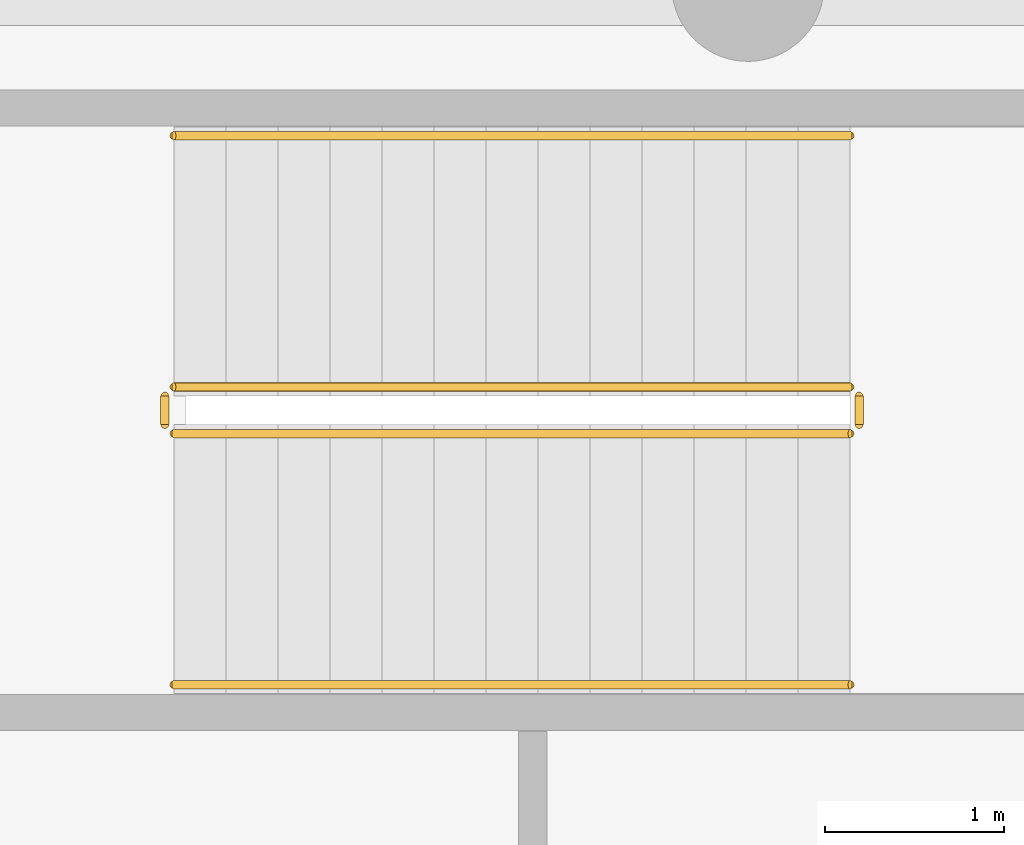
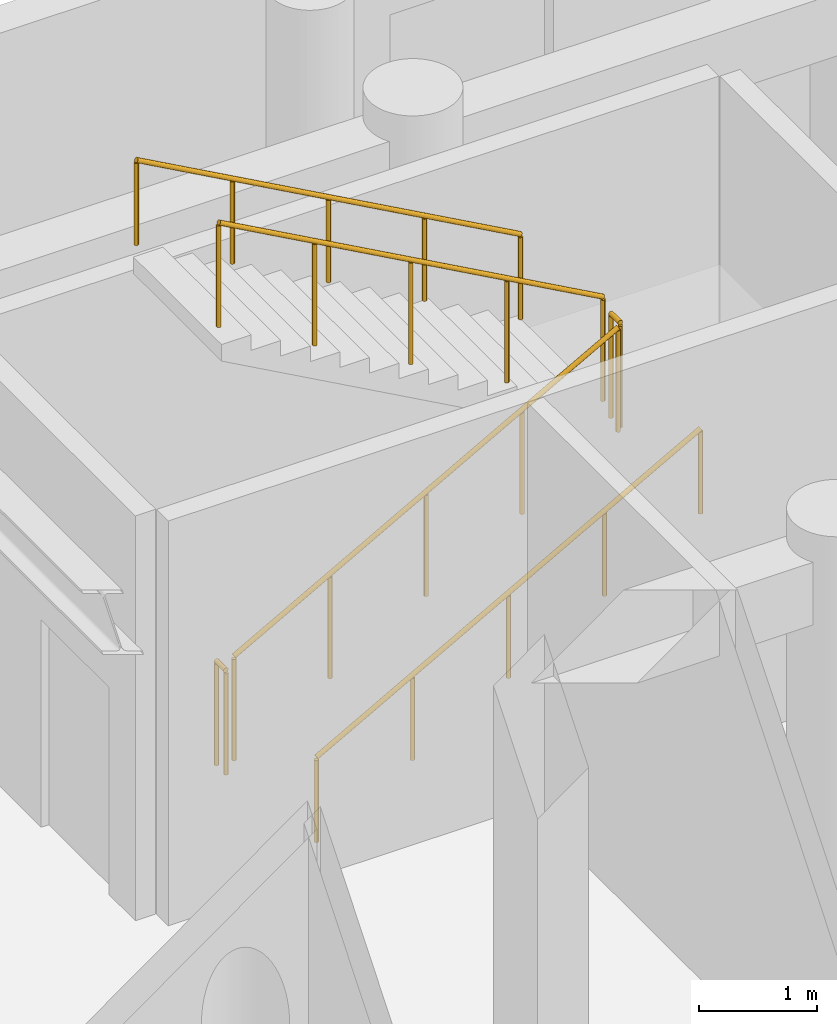
# One storey, part 29 of 30: 6 railings.
"""IFC4 building model written with IfcOpenShell, lengths in metres."""

from ifc_helpers import new_model, si_unit, direction, frame, origin, origin_2d, place, context, subcontext, project, spatial, circle, extrude, material, layer, layer_set, type_object, element, save


model = new_model("IFC4")

# Units and contexts
model_context = context("Model", 3, precision=1e-05, world=origin(), true_north=direction((0.0, 1.0)))
body_context = subcontext(model_context, "Body", "Model", "MODEL_VIEW")
ifc_project = project(units=[si_unit("LENGTHUNIT", "METRE"), si_unit("AREAUNIT", "SQUARE_METRE"), si_unit("VOLUMEUNIT", "CUBIC_METRE"), si_unit("PLANEANGLEUNIT", "RADIAN"), si_unit("MASSUNIT", "GRAM", prefix="KILO")], contexts=[model_context])

# Site, building, storey
site_placement = place(None, origin())
site = spatial("IfcSite", under=ifc_project, at=site_placement, CompositionType="ELEMENT")
building_placement = place(site_placement, origin())
building = spatial("IfcBuilding", under=site, at=building_placement, Name="Karkom Vertical University and Central Library", CompositionType="ELEMENT")
storey_placement = place(building_placement, origin())
storey = spatial("IfcBuildingStorey", under=building, at=storey_placement, Name="L00", CompositionType="ELEMENT", Elevation=0.0)

# Railings
ifc_material_1 = material(Name="Painted galvanised steel balustrade", Category="steel")
ifc_layer_1 = layer(ifc_material_1, 0.06005859375)
ifc_layer_set_1 = layer_set([ifc_layer_1], Name="Painted galvanised steel balustrade")
railing_type_1 = type_object("IfcRailingType", Name="INT-RL-GUARD1100", PredefinedType="GUARDRAIL", material=ifc_layer_set_1)
railing_1_placement = place(storey_placement, frame((72.199951171875, 45.699951171875, 0.16064453125)))
element("IfcRailing", 1, at=railing_1_placement, inside=storey, type_object=railing_type_1, Name="Level 00 LIB-ST2 stair guard 1", PredefinedType="GUARDRAIL", context=body_context, shape_type="SweptSolid", body=[
    extrude(circle(Radius=0.02392578125, at=origin_2d()), frame((0.0, 0.0, 1.076171875), z_axis=(0.874659101714, 0.0, 0.484738543742), x_axis=(0.0, 1.0, 0.0)), (0.0, 0.0, 1.0), 4.310302734375),
    extrude(circle(Radius=0.02099609375, at=origin_2d()), origin(), (0.0, 0.0, 1.0), 1.052001953125),
    extrude(circle(Radius=0.02099609375, at=origin_2d()), frame((0.9423828125, 0.0, 0.5224609375)), (0.0, 0.0, 1.0), 1.052001953125),
    extrude(circle(Radius=0.02099609375, at=origin_2d()), frame((1.885009765625, 0.0, 1.044677734375)), (0.0, 0.0, 1.0), 1.052001953125),
    extrude(circle(Radius=0.02099609375, at=origin_2d()), frame((2.82763671875, 0.0, 1.56689453125)), (0.0, 0.0, 1.0), 1.052001953125),
    extrude(circle(Radius=0.02099609375, at=origin_2d()), frame((3.77001953125, 0.0, 2.08935546875)), (0.0, 0.0, 1.0), 1.052001953125),
])
railing_2_placement = place(storey_placement, frame((76.02001953125, 45.75, 2.25)))
element("IfcRailing", 2, at=railing_2_placement, inside=storey, type_object=railing_type_1, Name="Level 00 LIB-ST2 stair guard 2", PredefinedType="GUARDRAIL", context=body_context, shape_type="SweptSolid", body=[
    extrude(circle(Radius=0.02392578125, at=origin_2d()), frame((0.0, 0.0, 1.076171875), z_axis=(0.0, 1.0, 0.0), x_axis=(-1.0, 0.0, 0.0)), (0.0, 0.0, 1.0), 0.159912109375),
    extrude(circle(Radius=0.02099609375, at=origin_2d()), origin(), (0.0, 0.0, 1.0), 1.052001953125),
    extrude(circle(Radius=0.02099609375, at=origin_2d()), frame((0.0, 0.159912109375, 0.0)), (0.0, 0.0, 1.0), 1.052001953125),
])
railing_3_placement = place(storey_placement, frame((75.969970703125, 45.9599609375, 2.41064453125)))
element("IfcRailing", 3, at=railing_3_placement, inside=storey, type_object=railing_type_1, Name="Level 00 LIB-ST2 stair guard 3", PredefinedType="GUARDRAIL", context=body_context, shape_type="SweptSolid", body=[
    extrude(circle(Radius=0.02392578125, at=origin_2d()), frame((0.0, 0.0, 1.076171875), z_axis=(-0.874659101714, 0.0, 0.484738543742), x_axis=(0.0, -1.0, 0.0)), (0.0, 0.0, 1.0), 4.310302734375),
    extrude(circle(Radius=0.02099609375, at=origin_2d()), origin(), (0.0, 0.0, 1.0), 1.052001953125),
    extrude(circle(Radius=0.02099609375, at=origin_2d()), frame((-0.9423828125, 0.0, 0.5224609375)), (0.0, 0.0, 1.0), 1.052001953125),
    extrude(circle(Radius=0.02099609375, at=origin_2d()), frame((-1.885009765625, 0.0, 1.044677734375)), (0.0, 0.0, 1.0), 1.052001953125),
    extrude(circle(Radius=0.02099609375, at=origin_2d()), frame((-2.82763671875, 0.0, 1.56689453125)), (0.0, 0.0, 1.0), 1.052001953125),
    extrude(circle(Radius=0.02099609375, at=origin_2d()), frame((-3.77001953125, 0.0, 2.08935546875)), (0.0, 0.0, 1.0), 1.052001953125),
])
railing_4_placement = place(storey_placement, frame((72.14990234375, 45.75, 0.0)))
element("IfcRailing", 4, at=railing_4_placement, inside=storey, type_object=railing_type_1, Name="Level 00 LIB-ST2 stair guard 4", PredefinedType="GUARDRAIL", context=body_context, shape_type="SweptSolid", body=[
    extrude(circle(Radius=0.02392578125, at=origin_2d()), frame((0.0, 0.0, 1.076171875), z_axis=(0.0, 1.0, 0.0), x_axis=(-1.0, 0.0, 0.0)), (0.0, 0.0, 1.0), 0.159912109375),
    extrude(circle(Radius=0.02099609375, at=origin_2d()), origin(), (0.0, 0.0, 1.0), 1.052001953125),
    extrude(circle(Radius=0.02099609375, at=origin_2d()), frame((0.0, 0.159912109375, 0.0)), (0.0, 0.0, 1.0), 1.052001953125),
])
ifc_material_2 = material(Name="Brushed stainless-steel tubular handrail", Category="steel")
ifc_layer_2 = layer(ifc_material_2, 0.048095703125)
ifc_layer_set_2 = layer_set([ifc_layer_2], Name="Brushed stainless-steel tubular handrail")
railing_type_2 = type_object("IfcRailingType", Name="INT-RL-HAND920", PredefinedType="HANDRAIL", material=ifc_layer_set_2)
railing_5_placement = place(storey_placement, frame((72.199951171875, 44.300048828125, 0.16064453125)))
element("IfcRailing", 5, at=railing_5_placement, inside=storey, type_object=railing_type_2, Name="Level 00 LIB-ST2 stair handrail 1", PredefinedType="HANDRAIL", context=body_context, shape_type="SweptSolid", body=[
    extrude(circle(Radius=0.02392578125, at=origin_2d()), frame((0.0, 0.0, 0.8759765625), z_axis=(0.874659101714, 0.0, 0.484738543742), x_axis=(0.0, 1.0, 0.0)), (0.0, 0.0, 1.0), 4.310302734375),
    extrude(circle(Radius=0.02099609375, at=origin_2d()), origin(), (0.0, 0.0, 1.0), 0.851806640625),
    extrude(circle(Radius=0.02099609375, at=origin_2d()), frame((0.9423828125, 0.0, 0.5224609375)), (0.0, 0.0, 1.0), 0.851806640625),
    extrude(circle(Radius=0.02099609375, at=origin_2d()), frame((1.885009765625, 0.0, 1.044677734375)), (0.0, 0.0, 1.0), 0.851806640625),
    extrude(circle(Radius=0.02099609375, at=origin_2d()), frame((2.82763671875, 0.0, 1.56689453125)), (0.0, 0.0, 1.0), 0.851806640625),
    extrude(circle(Radius=0.02099609375, at=origin_2d()), frame((3.77001953125, 0.0, 2.08935546875)), (0.0, 0.0, 1.0), 0.851806640625),
])
railing_6_placement = place(storey_placement, frame((75.969970703125, 47.360107421875, 2.41064453125)))
element("IfcRailing", 6, at=railing_6_placement, inside=storey, type_object=railing_type_2, Name="Level 00 LIB-ST2 stair handrail 2", PredefinedType="HANDRAIL", context=body_context, shape_type="SweptSolid", body=[
    extrude(circle(Radius=0.02392578125, at=origin_2d()), frame((0.0, 0.0, 0.8759765625), z_axis=(-0.874659101714, 0.0, 0.484738543742), x_axis=(0.0, -1.0, 0.0)), (0.0, 0.0, 1.0), 4.310302734375),
    extrude(circle(Radius=0.02099609375, at=origin_2d()), origin(), (0.0, 0.0, 1.0), 0.851806640625),
    extrude(circle(Radius=0.02099609375, at=origin_2d()), frame((-0.9423828125, 0.0, 0.5224609375)), (0.0, 0.0, 1.0), 0.851806640625),
    extrude(circle(Radius=0.02099609375, at=origin_2d()), frame((-1.885009765625, 0.0, 1.044677734375)), (0.0, 0.0, 1.0), 0.851806640625),
    extrude(circle(Radius=0.02099609375, at=origin_2d()), frame((-2.82763671875, 0.0, 1.56689453125)), (0.0, 0.0, 1.0), 0.851806640625),
    extrude(circle(Radius=0.02099609375, at=origin_2d()), frame((-3.77001953125, 0.0, 2.08935546875)), (0.0, 0.0, 1.0), 0.851806640625),
])

save(model, "model.ifc")
